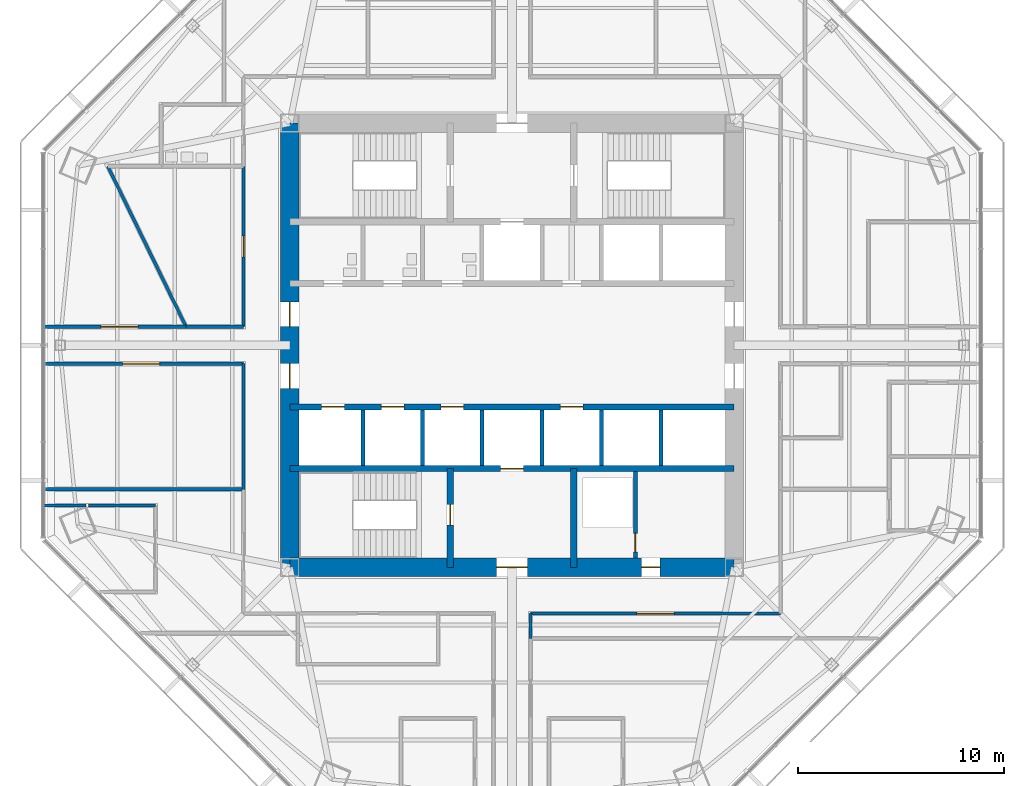
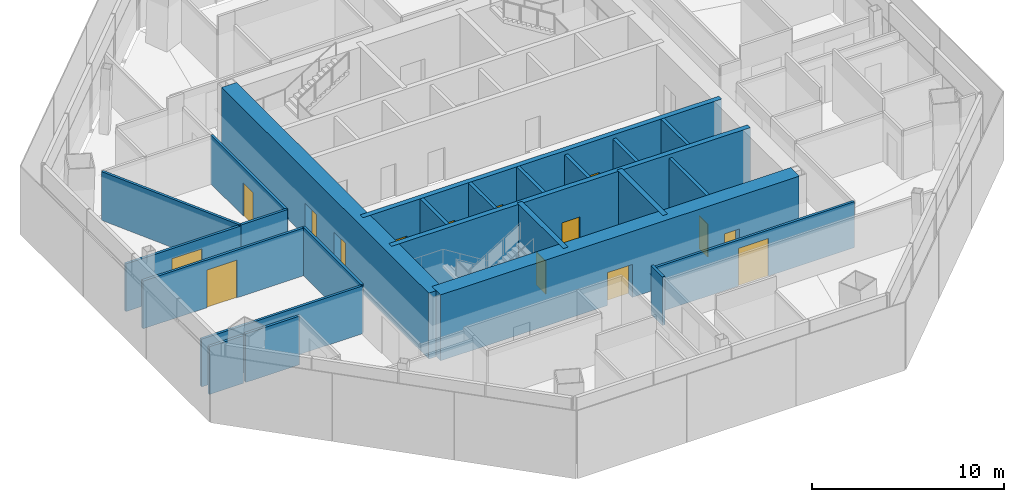
# One storey, part 9 of 15: 24 walls, 15 doors, 15 openings.
"""IFC4 building model written with IfcOpenShell, lengths in metres."""

from ifc_helpers import new_model, si_unit, direction, frame, frame_2d, origin, place, context, subcontext, project, spatial, rectangle, extrude, material, layer, layer_set, type_object, element, fill, save


model = new_model("IFC4")

# Units and contexts
model_context = context("Model", 3, precision=1e-05, world=origin(), true_north=direction((0.0, 1.0)))
body_context = subcontext(model_context, "Body", "Model", "MODEL_VIEW")
ifc_project = project(units=[si_unit("LENGTHUNIT", "METRE"), si_unit("AREAUNIT", "SQUARE_METRE"), si_unit("VOLUMEUNIT", "CUBIC_METRE"), si_unit("PLANEANGLEUNIT", "RADIAN"), si_unit("MASSUNIT", "GRAM", prefix="KILO")], contexts=[model_context])

# Site, building, storey
site_placement = place(None, origin())
site = spatial("IfcSite", under=ifc_project, at=site_placement, CompositionType="ELEMENT")
building_placement = place(site_placement, origin())
building = spatial("IfcBuilding", under=site, at=building_placement, Name="Mashrafa Tower", CompositionType="ELEMENT")
storey_placement = place(building_placement, frame((0.0, 0.0, 184.800048828125)))
storey = spatial("IfcBuildingStorey", under=building, at=storey_placement, Name="L42", CompositionType="ELEMENT", Elevation=184.800048828125)

# Wall, opening, door
ifc_material_1 = material(Name="Concrete masonry unit", Category="masonry")
ifc_layer_1 = layer(ifc_material_1, 0.199951171875)
ifc_layer_set_1 = layer_set([ifc_layer_1], Name="Blockwork wall 200 2 hr")
wall_type_1 = type_object("IfcWallType", Name="Blockwork wall 200 2 hr", PredefinedType="PARTITIONING", material=ifc_layer_set_1)
wall_1_placement = place(storey_placement, frame((6.0, -10.35009765625, 0.0), z_axis=(0.0, 0.0, 1.0), x_axis=(0.0, 1.0, 0.0)))
wall_1 = element("IfcWall", 1, at=wall_1_placement, inside=storey, type_object=wall_type_1, Name="Riser enclosure wall L42", PredefinedType="PARTITIONING", context=body_context, shape_type="SweptSolid", body=[
    extrude(rectangle(XDim=4.2001953125, YDim=0.199951171875, at=frame_2d((2.10009765625, 0.0))), origin(), (0.0, 0.0, 1.0), 3.949951171875),
])
opening_1_placement = place(wall_1_placement, frame((0.300048828125, 0.0, 0.0)))
opening_1 = element("IfcOpeningElement", 2, at=opening_1_placement, cuts=wall_1, Name="Opening 42.034", PredefinedType="OPENING", context=body_context, shape_type="SweptSolid", body=[
    extrude(rectangle(XDim=0.89990234375, YDim=2.10009765625, at=frame_2d((0.449951171875, 1.050048828125))), frame((0.0, 0.10986328125, 0.0), z_axis=(0.0, -1.0, 0.0), x_axis=(1.0, 0.0, 0.0)), (0.0, 0.0, 1.0), 0.219970703125),
])
ifc_material_2 = material(Name="Steel door", Category="steel")
door_type_1 = type_object("IfcDoorType", Name="Service door 900 x 2100 90 min", OperationType="USERDEFINED", PredefinedType="DOOR", material=ifc_material_2)
door_1_placement = place(opening_1_placement, origin())
door_1 = element("IfcDoor", 3, at=door_1_placement, inside=storey, type_object=door_type_1, Name="Riser door L42", OperationType="SINGLE_SWING_LEFT", OverallHeight=2.10009765625, OverallWidth=0.89990234375, PredefinedType="DOOR", context=body_context, shape_type="SweptSolid", body=[
    extrude(rectangle(XDim=0.89990234375, YDim=2.10009765625, at=frame_2d((0.449951171875, 1.050048828125))), frame((0.0, 0.02490234375, 0.0), z_axis=(0.0, -1.0, 0.0), x_axis=(1.0, 0.0, 0.0)), (0.0, 0.0, 1.0), 0.050048828125),
])
fill(opening_1, door_1)

# Wall, openings, doors
ifc_material_3 = material(Name="Concrete C60/75", Category="concrete")
ifc_layer_2 = layer(ifc_material_3, 0.300048828125)
ifc_layer_set_2 = layer_set([ifc_layer_2], Name="Core wall 300 C60/75")
wall_type_2 = type_object("IfcWallType", Name="Core wall 300 C60/75", PredefinedType="SOLIDWALL", material=ifc_layer_set_2)
wall_2_placement = place(storey_placement, frame((-10.800048828125, -3.0, 0.0), z_axis=(0.0, 0.0, 1.0), x_axis=(1.0, 0.0, 0.0)))
wall_2 = element("IfcWall", 4, at=wall_2_placement, inside=storey, type_object=wall_type_2, Name="Core wall CH-S L42", PredefinedType="SOLIDWALL", context=body_context, shape_type="SweptSolid", body=[
    extrude(rectangle(XDim=21.60009765625, YDim=0.300048828125, at=frame_2d((10.800048828125, 0.0))), origin(), (0.0, 0.0, 1.0), 4.199951171875),
])
opening_2_placement = place(wall_2_placement, frame((1.550048828125, 0.0, 0.0)))
opening_2 = element("IfcOpeningElement", 5, at=opening_2_placement, cuts=wall_2, Name="Opening 42.B1", PredefinedType="OPENING", context=body_context, shape_type="SweptSolid", body=[
    extrude(rectangle(XDim=1.10009765625, YDim=2.10009765625, at=frame_2d((0.550048828125, 1.050048828125))), frame((0.0, 0.159912109375, 0.0), z_axis=(0.0, -1.0, 0.0), x_axis=(1.0, 0.0, 0.0)), (0.0, 0.0, 1.0), 0.320068359375),
])
opening_3_placement = place(wall_2_placement, frame((4.449951171875, 0.0, 0.0)))
opening_3 = element("IfcOpeningElement", 6, at=opening_3_placement, cuts=wall_2, Name="Opening 42.B2", PredefinedType="OPENING", context=body_context, shape_type="SweptSolid", body=[
    extrude(rectangle(XDim=1.10009765625, YDim=2.10009765625, at=frame_2d((0.550048828125, 1.050048828125))), frame((0.0, 0.159912109375, 0.0), z_axis=(0.0, -1.0, 0.0), x_axis=(1.0, 0.0, 0.0)), (0.0, 0.0, 1.0), 0.320068359375),
])
opening_4_placement = place(wall_2_placement, frame((7.35009765625, 0.0, 0.0)))
opening_4 = element("IfcOpeningElement", 7, at=opening_4_placement, cuts=wall_2, Name="Opening 42.B3", PredefinedType="OPENING", context=body_context, shape_type="SweptSolid", body=[
    extrude(rectangle(XDim=1.10009765625, YDim=2.10009765625, at=frame_2d((0.550048828125, 1.050048828125))), frame((0.0, 0.159912109375, 0.0), z_axis=(0.0, -1.0, 0.0), x_axis=(1.0, 0.0, 0.0)), (0.0, 0.0, 1.0), 0.320068359375),
])
opening_5_placement = place(wall_2_placement, frame((13.14990234375, 0.0, 0.0)))
opening_5 = element("IfcOpeningElement", 8, at=opening_5_placement, cuts=wall_2, Name="Opening 42.B4", PredefinedType="OPENING", context=body_context, shape_type="SweptSolid", body=[
    extrude(rectangle(XDim=1.10009765625, YDim=2.10009765625, at=frame_2d((0.550048828125, 1.050048828125))), frame((0.0, 0.159912109375, 0.0), z_axis=(0.0, -1.0, 0.0), x_axis=(1.0, 0.0, 0.0)), (0.0, 0.0, 1.0), 0.320068359375),
])
ifc_material_4 = material(Name="Steel door", Category="steel")
door_type_2 = type_object("IfcDoorType", Name="Lift landing door 1100 x 2100 90 min", OperationType="DOUBLE_DOOR_SLIDING", PredefinedType="DOOR", material=ifc_material_4)
door_2_placement = place(opening_2_placement, origin())
door_2 = element("IfcDoor", 9, at=door_2_placement, inside=storey, type_object=door_type_2, Name="Lift landing door B1 L42", OperationType="DOUBLE_DOOR_SLIDING", OverallHeight=2.10009765625, OverallWidth=1.10009765625, PredefinedType="DOOR", context=body_context, shape_type="SweptSolid", body=[
    extrude(rectangle(XDim=1.10009765625, YDim=2.10009765625, at=frame_2d((0.550048828125, 1.050048828125))), frame((0.0, 0.02490234375, 0.0), z_axis=(0.0, -1.0, 0.0), x_axis=(1.0, 0.0, 0.0)), (0.0, 0.0, 1.0), 0.050048828125),
])
fill(opening_2, door_2)
door_3_placement = place(opening_3_placement, origin())
door_3 = element("IfcDoor", 10, at=door_3_placement, inside=storey, type_object=door_type_2, Name="Lift landing door B2 L42", OperationType="DOUBLE_DOOR_SLIDING", OverallHeight=2.10009765625, OverallWidth=1.10009765625, PredefinedType="DOOR", context=body_context, shape_type="SweptSolid", body=[
    extrude(rectangle(XDim=1.10009765625, YDim=2.10009765625, at=frame_2d((0.550048828125, 1.050048828125))), frame((0.0, 0.02490234375, 0.0), z_axis=(0.0, -1.0, 0.0), x_axis=(1.0, 0.0, 0.0)), (0.0, 0.0, 1.0), 0.050048828125),
])
fill(opening_3, door_3)
door_4_placement = place(opening_4_placement, origin())
door_4 = element("IfcDoor", 11, at=door_4_placement, inside=storey, type_object=door_type_2, Name="Lift landing door B3 L42", OperationType="DOUBLE_DOOR_SLIDING", OverallHeight=2.10009765625, OverallWidth=1.10009765625, PredefinedType="DOOR", context=body_context, shape_type="SweptSolid", body=[
    extrude(rectangle(XDim=1.10009765625, YDim=2.10009765625, at=frame_2d((0.550048828125, 1.050048828125))), frame((0.0, 0.02490234375, 0.0), z_axis=(0.0, -1.0, 0.0), x_axis=(1.0, 0.0, 0.0)), (0.0, 0.0, 1.0), 0.050048828125),
])
fill(opening_4, door_4)
door_5_placement = place(opening_5_placement, origin())
door_5 = element("IfcDoor", 12, at=door_5_placement, inside=storey, type_object=door_type_2, Name="Lift landing door B4 L42", OperationType="DOUBLE_DOOR_SLIDING", OverallHeight=2.10009765625, OverallWidth=1.10009765625, PredefinedType="DOOR", context=body_context, shape_type="SweptSolid", body=[
    extrude(rectangle(XDim=1.10009765625, YDim=2.10009765625, at=frame_2d((0.550048828125, 1.050048828125))), frame((0.0, 0.02490234375, 0.0), z_axis=(0.0, -1.0, 0.0), x_axis=(1.0, 0.0, 0.0)), (0.0, 0.0, 1.0), 0.050048828125),
])
fill(opening_5, door_5)

# Wall, opening, door
wall_3_placement = place(storey_placement, frame((-10.800048828125, -6.0, 0.0), z_axis=(0.0, 0.0, 1.0), x_axis=(1.0, 0.0, 0.0)))
wall_3 = element("IfcWall", 13, at=wall_3_placement, inside=storey, type_object=wall_type_2, Name="Core wall CB-S L42", PredefinedType="SOLIDWALL", context=body_context, shape_type="SweptSolid", body=[
    extrude(rectangle(XDim=21.60009765625, YDim=0.300048828125, at=frame_2d((10.800048828125, 0.0))), origin(), (0.0, 0.0, 1.0), 4.199951171875),
])
opening_6_placement = place(wall_3_placement, frame((10.25, 0.0, 0.0)))
opening_6 = element("IfcOpeningElement", 14, at=opening_6_placement, cuts=wall_3, Name="Opening 42.F2", PredefinedType="OPENING", context=body_context, shape_type="SweptSolid", body=[
    extrude(rectangle(XDim=1.10009765625, YDim=2.10009765625, at=frame_2d((0.550048828125, 1.050048828125))), frame((0.0, 0.159912109375, 0.0), z_axis=(0.0, -1.0, 0.0), x_axis=(1.0, 0.0, 0.0)), (0.0, 0.0, 1.0), 0.320068359375),
])
door_6_placement = place(opening_6_placement, origin())
door_6 = element("IfcDoor", 15, at=door_6_placement, inside=storey, type_object=door_type_2, Name="Lift landing door F2 L42", OperationType="DOUBLE_DOOR_SLIDING", OverallHeight=2.10009765625, OverallWidth=1.10009765625, PredefinedType="DOOR", context=body_context, shape_type="SweptSolid", body=[
    extrude(rectangle(XDim=1.10009765625, YDim=2.10009765625, at=frame_2d((0.550048828125, 1.050048828125))), frame((0.0, 0.02490234375, 0.0), z_axis=(0.0, -1.0, 0.0), x_axis=(1.0, 0.0, 0.0)), (0.0, 0.0, 1.0), 0.050048828125),
])
fill(opening_6, door_6)

wall_4_placement = place(storey_placement, frame((-3.0, -6.0, 0.0), z_axis=(0.0, 0.0, 1.0), x_axis=(0.0, -1.0, 0.0)))
wall_4 = element("IfcWall", 16, at=wall_4_placement, inside=storey, type_object=wall_type_2, Name="Core wall CX-SW L42", PredefinedType="SOLIDWALL", context=body_context, shape_type="SweptSolid", body=[
    extrude(rectangle(XDim=4.800048828125, YDim=0.300048828125, at=frame_2d((2.39990234375, 0.0))), origin(), (0.0, 0.0, 1.0), 4.199951171875),
])
opening_7_placement = place(wall_4_placement, frame((1.75, 0.0, 0.0)))
opening_7 = element("IfcOpeningElement", 17, at=opening_7_placement, cuts=wall_4, Name="Opening 42.032", PredefinedType="OPENING", context=body_context, shape_type="SweptSolid", body=[
    extrude(rectangle(XDim=1.0, YDim=2.10009765625, at=frame_2d((0.5, 1.050048828125))), frame((0.0, 0.159912109375, 0.0), z_axis=(0.0, -1.0, 0.0), x_axis=(1.0, 0.0, 0.0)), (0.0, 0.0, 1.0), 0.320068359375),
])
ifc_material_5 = material(Name="Steel door", Category="steel")
door_type_3 = type_object("IfcDoorType", Name="Stair door 1000 x 2100 90 min", OperationType="USERDEFINED", PredefinedType="DOOR", material=ifc_material_5)
door_7_placement = place(opening_7_placement, frame((1.0, 0.0, 0.0), z_axis=(0.0, 0.0, 1.0), x_axis=(-1.0, 0.0, 0.0)))
door_7 = element("IfcDoor", 18, at=door_7_placement, inside=storey, type_object=door_type_3, Name="Stair S3 door L42", OperationType="SINGLE_SWING_RIGHT", OverallHeight=2.10009765625, OverallWidth=1.0, PredefinedType="DOOR", context=body_context, shape_type="SweptSolid", body=[
    extrude(rectangle(XDim=1.0, YDim=2.10009765625, at=frame_2d((0.5, 1.050048828125))), frame((0.0, 0.02490234375, 0.0), z_axis=(0.0, -1.0, 0.0), x_axis=(1.0, 0.0, 0.0)), (0.0, 0.0, 1.0), 0.050048828125),
])
fill(opening_7, door_7)

# Wall
wall_5_placement = place(storey_placement, frame((3.0, -6.0, 0.0), z_axis=(0.0, 0.0, 1.0), x_axis=(0.0, -1.0, 0.0)))
element("IfcWall", 19, at=wall_5_placement, inside=storey, type_object=wall_type_2, Name="Core wall CX-SE L42", PredefinedType="SOLIDWALL", context=body_context, shape_type="SweptSolid", body=[
    extrude(rectangle(XDim=4.800048828125, YDim=0.300048828125, at=frame_2d((2.39990234375, 0.0))), origin(), (0.0, 0.0, 1.0), 4.199951171875),
])

# Wall, openings, doors
ifc_material_6 = material(Name="Concrete C60/75", Category="concrete")
ifc_layer_3 = layer(ifc_material_6, 0.89990234375)
ifc_layer_set_3 = layer_set([ifc_layer_3], Name="Core wall 900 C60/75")
wall_type_3 = type_object("IfcWallType", Name="Core wall 900 C60/75", PredefinedType="SOLIDWALL", material=ifc_layer_set_3)
wall_6_placement = place(storey_placement, frame((-10.800048828125, -10.800048828125, 0.0), z_axis=(0.0, 0.0, 1.0), x_axis=(1.0, 0.0, 0.0)))
wall_6 = element("IfcWall", 20, at=wall_6_placement, inside=storey, type_object=wall_type_3, Name="Core wall CW-S L42", PredefinedType="SOLIDWALL", context=body_context, shape_type="SweptSolid", body=[
    extrude(rectangle(XDim=21.60009765625, YDim=0.89990234375, at=frame_2d((10.800048828125, 0.0))), origin(), (0.0, 0.0, 1.0), 4.199951171875),
])
opening_8_placement = place(wall_6_placement, frame((10.050048828125, 0.0, 0.0)))
opening_8 = element("IfcOpeningElement", 21, at=opening_8_placement, cuts=wall_6, Name="Opening 42.029", PredefinedType="OPENING", context=body_context, shape_type="SweptSolid", body=[
    extrude(rectangle(XDim=1.5, YDim=2.10009765625, at=frame_2d((0.75, 1.050048828125))), frame((0.0, 0.4599609375, 0.0), z_axis=(0.0, -1.0, 0.0), x_axis=(1.0, 0.0, 0.0)), (0.0, 0.0, 1.0), 0.919921875),
])
opening_9_placement = place(wall_6_placement, frame((17.10009765625, 0.0, 0.0)))
opening_9 = element("IfcOpeningElement", 22, at=opening_9_placement, cuts=wall_6, Name="Opening 42.033", PredefinedType="OPENING", context=body_context, shape_type="SweptSolid", body=[
    extrude(rectangle(XDim=0.89990234375, YDim=2.10009765625, at=frame_2d((0.449951171875, 1.050048828125))), frame((0.0, 0.4599609375, 0.0), z_axis=(0.0, -1.0, 0.0), x_axis=(1.0, 0.0, 0.0)), (0.0, 0.0, 1.0), 0.919921875),
])
ifc_material_7 = material(Name="Steel door", Category="steel")
door_type_4 = type_object("IfcDoorType", Name="Lobby door pair 1500 x 2100 90 min", OperationType="DOUBLE_DOOR_SINGLE_SWING", PredefinedType="DOOR", material=ifc_material_7)
door_8_placement = place(opening_8_placement, origin())
door_8 = element("IfcDoor", 23, at=door_8_placement, inside=storey, type_object=door_type_4, Name="Fire-fighting lobby F2 door L42", OperationType="DOUBLE_DOOR_SINGLE_SWING", OverallHeight=2.10009765625, OverallWidth=1.5, PredefinedType="DOOR", context=body_context, shape_type="SweptSolid", body=[
    extrude(rectangle(XDim=1.5, YDim=2.10009765625, at=frame_2d((0.75, 1.050048828125))), frame((0.0, 0.02490234375, 0.0), z_axis=(0.0, -1.0, 0.0), x_axis=(1.0, 0.0, 0.0)), (0.0, 0.0, 1.0), 0.050048828125),
])
fill(opening_8, door_8)
door_9_placement = place(opening_9_placement, origin())
door_9 = element("IfcDoor", 24, at=door_9_placement, inside=storey, type_object=door_type_1, Name="Communications Room L42 door", OperationType="SINGLE_SWING_LEFT", OverallHeight=2.10009765625, OverallWidth=0.89990234375, PredefinedType="DOOR", context=body_context, shape_type="SweptSolid", body=[
    extrude(rectangle(XDim=0.89990234375, YDim=2.10009765625, at=frame_2d((0.449951171875, 1.050048828125))), frame((0.0, 0.02490234375, 0.0), z_axis=(0.0, -1.0, 0.0), x_axis=(1.0, 0.0, 0.0)), (0.0, 0.0, 1.0), 0.050048828125),
])
fill(opening_9, door_9)

wall_7_placement = place(storey_placement, frame((-10.800048828125, 10.800048828125, 0.0), z_axis=(0.0, 0.0, 1.0), x_axis=(0.0, -1.0, 0.0)))
wall_7 = element("IfcWall", 25, at=wall_7_placement, inside=storey, type_object=wall_type_3, Name="Core wall CW-W L42", PredefinedType="SOLIDWALL", context=body_context, shape_type="SweptSolid", body=[
    extrude(rectangle(XDim=21.60009765625, YDim=0.89990234375, at=frame_2d((10.800048828125, 0.0))), origin(), (0.0, 0.0, 1.0), 4.199951171875),
])
opening_10_placement = place(wall_7_placement, frame((8.699951171875, 0.0, 0.0)))
opening_10 = element("IfcOpeningElement", 26, at=opening_10_placement, cuts=wall_7, Name="Opening 42.025", PredefinedType="OPENING", context=body_context, shape_type="SweptSolid", body=[
    extrude(rectangle(XDim=1.199951171875, YDim=2.10009765625, at=frame_2d((0.60009765625, 1.050048828125))), frame((0.0, 0.4599609375, 0.0), z_axis=(0.0, -1.0, 0.0), x_axis=(1.0, 0.0, 0.0)), (0.0, 0.0, 1.0), 0.919921875),
])
opening_11_placement = place(wall_7_placement, frame((11.699951171875, 0.0, 0.0)))
opening_11 = element("IfcOpeningElement", 27, at=opening_11_placement, cuts=wall_7, Name="Opening 42.027", PredefinedType="OPENING", context=body_context, shape_type="SweptSolid", body=[
    extrude(rectangle(XDim=1.199951171875, YDim=2.10009765625, at=frame_2d((0.60009765625, 1.050048828125))), frame((0.0, 0.4599609375, 0.0), z_axis=(0.0, -1.0, 0.0), x_axis=(1.0, 0.0, 0.0)), (0.0, 0.0, 1.0), 0.919921875),
])
ifc_material_8 = material(Name="Steel door", Category="steel")
door_type_5 = type_object("IfcDoorType", Name="Lift hall door 1200 x 2100 90 min", OperationType="USERDEFINED", PredefinedType="DOOR", material=ifc_material_8)
door_10_placement = place(opening_10_placement, frame((1.199951171875, 0.0, 0.0), z_axis=(0.0, 0.0, 1.0), x_axis=(-1.0, 0.0, 0.0)))
door_10 = element("IfcDoor", 28, at=door_10_placement, inside=storey, type_object=door_type_5, Name="Lift hall door west L42", OperationType="SINGLE_SWING_RIGHT", OverallHeight=2.10009765625, OverallWidth=1.199951171875, PredefinedType="DOOR", context=body_context, shape_type="SweptSolid", body=[
    extrude(rectangle(XDim=1.199951171875, YDim=2.10009765625, at=frame_2d((0.60009765625, 1.050048828125))), frame((0.0, 0.02490234375, 0.0), z_axis=(0.0, -1.0, 0.0), x_axis=(1.0, 0.0, 0.0)), (0.0, 0.0, 1.0), 0.050048828125),
])
fill(opening_10, door_10)
door_11_placement = place(opening_11_placement, frame((1.199951171875, 0.0, 0.0), z_axis=(0.0, 0.0, 1.0), x_axis=(-1.0, 0.0, 0.0)))
door_11 = element("IfcDoor", 29, at=door_11_placement, inside=storey, type_object=door_type_5, Name="Lift hall door west L42", OperationType="SINGLE_SWING_LEFT", OverallHeight=2.10009765625, OverallWidth=1.199951171875, PredefinedType="DOOR", context=body_context, shape_type="SweptSolid", body=[
    extrude(rectangle(XDim=1.199951171875, YDim=2.10009765625, at=frame_2d((0.60009765625, 1.050048828125))), frame((0.0, 0.02490234375, 0.0), z_axis=(0.0, -1.0, 0.0), x_axis=(1.0, 0.0, 0.0)), (0.0, 0.0, 1.0), 0.050048828125),
])
fill(opening_11, door_11)

# Wall, opening, door
ifc_material_9 = material(Name="Gypsum board on steel studs", Category="steel")
ifc_layer_4 = layer(ifc_material_9, 0.14990234375)
ifc_layer_set_4 = layer_set([ifc_layer_4], Name="Corridor partition 150 1 hr")
wall_type_4 = type_object("IfcWallType", Name="Corridor partition 150 1 hr", PredefinedType="PARTITIONING", material=ifc_layer_set_4)
wall_8_placement = place(storey_placement, frame((-13.050048828125, 8.700927734375, 0.0), z_axis=(0.0, 0.0, 1.0), x_axis=(0.0, -1.0, 0.0)))
wall_8 = element("IfcWall", 30, at=wall_8_placement, inside=storey, type_object=wall_type_4, Name="Corridor wall L42-001", PredefinedType="PARTITIONING", context=body_context, shape_type="SweptSolid", body=[
    extrude(rectangle(XDim=7.801025390625, YDim=0.14990234375, at=frame_2d((3.900390625, 0.0))), origin(), (0.0, 0.0, 1.0), 3.09423828125),
])
opening_12_placement = place(wall_8_placement, frame((3.400390625, 0.0, 0.0)))
opening_12 = element("IfcOpeningElement", 31, at=opening_12_placement, cuts=wall_8, Name="Opening 42.001", PredefinedType="OPENING", context=body_context, shape_type="SweptSolid", body=[
    extrude(rectangle(XDim=1.0, YDim=2.10009765625, at=frame_2d((0.5, 1.050048828125))), frame((0.0, 0.0849609375, 0.0), z_axis=(0.0, -1.0, 0.0), x_axis=(1.0, 0.0, 0.0)), (0.0, 0.0, 1.0), 0.169921875),
])
ifc_material_10 = material(Name="Timber door", Category="wood")
door_type_6 = type_object("IfcDoorType", Name="Door 1000 x 2100", OperationType="USERDEFINED", PredefinedType="DOOR", material=ifc_material_10)
door_12_placement = place(opening_12_placement, frame((1.0, 0.0, 0.0), z_axis=(0.0, 0.0, 1.0), x_axis=(-1.0, 0.0, 0.0)))
door_12 = element("IfcDoor", 32, at=door_12_placement, inside=storey, type_object=door_type_6, Name="Musallah Prayer Room 42 door", OperationType="SINGLE_SWING_LEFT", OverallHeight=2.10009765625, OverallWidth=1.0, PredefinedType="DOOR", context=body_context, shape_type="SweptSolid", body=[
    extrude(rectangle(XDim=1.0, YDim=2.10009765625, at=frame_2d((0.5, 1.050048828125))), frame((0.0, 0.02490234375, 0.0), z_axis=(0.0, -1.0, 0.0), x_axis=(1.0, 0.0, 0.0)), (0.0, 0.0, 1.0), 0.050048828125),
])
fill(opening_12, door_12)

# Wall
wall_9_placement = place(storey_placement, frame((-13.050048828125, 0.89990234375, 0.0), z_axis=(0.0, 0.0, 1.0), x_axis=(-1.0, 0.0, 0.0)))
element("IfcWall", 33, at=wall_9_placement, inside=storey, type_object=wall_type_4, Name="Corridor wall L42-002", PredefinedType="PARTITIONING", context=body_context, shape_type="SweptSolid", body=[
    extrude(rectangle(XDim=2.796630859375, YDim=0.14990234375, at=frame_2d((1.3984375, 0.0))), origin(), (0.0, 0.0, 1.0), 3.09423828125),
])

# Wall, opening, door
wall_10_placement = place(storey_placement, frame((-15.844482421875, 0.89990234375, 0.0), z_axis=(0.0, 0.0, 1.0), x_axis=(-1.0, 0.0, 0.0)))
wall_10 = element("IfcWall", 34, at=wall_10_placement, inside=storey, type_object=wall_type_4, Name="Corridor wall L42-015", PredefinedType="PARTITIONING", context=body_context, shape_type="SweptSolid", body=[
    extrude(rectangle(XDim=6.926513671875, YDim=0.14990234375, at=frame_2d((3.46337890625, 0.0))), origin(), (0.0, 0.0, 1.0), 3.0400390625),
])
opening_13_placement = place(wall_10_placement, frame((2.34619140625, 0.0, 0.0)))
opening_13 = element("IfcOpeningElement", 35, at=opening_13_placement, cuts=wall_10, Name="Opening 42.015", PredefinedType="OPENING", context=body_context, shape_type="SweptSolid", body=[
    extrude(rectangle(XDim=1.800048828125, YDim=2.39990234375, at=frame_2d((0.89990234375, 1.199951171875))), frame((0.0, 0.0849609375, 0.0), z_axis=(0.0, -1.0, 0.0), x_axis=(1.0, 0.0, 0.0)), (0.0, 0.0, 1.0), 0.169921875),
])
ifc_material_11 = material(Name="Timber door", Category="wood")
door_type_7 = type_object("IfcDoorType", Name="Door pair 1800 x 2400", OperationType="DOUBLE_DOOR_SINGLE_SWING", PredefinedType="DOOR", material=ifc_material_11)
door_13_placement = place(opening_13_placement, frame((1.800048828125, 0.0, 0.0), z_axis=(0.0, 0.0, 1.0), x_axis=(-1.0, 0.0, 0.0)))
door_13 = element("IfcDoor", 36, at=door_13_placement, inside=storey, type_object=door_type_7, Name="Board Secretariat Office 42-NW3 door", OperationType="DOUBLE_DOOR_SINGLE_SWING", OverallHeight=2.39990234375, OverallWidth=1.800048828125, PredefinedType="DOOR", context=body_context, shape_type="SweptSolid", body=[
    extrude(rectangle(XDim=1.800048828125, YDim=2.39990234375, at=frame_2d((0.89990234375, 1.199951171875))), frame((0.0, 0.02490234375, 0.0), z_axis=(0.0, -1.0, 0.0), x_axis=(1.0, 0.0, 0.0)), (0.0, 0.0, 1.0), 0.050048828125),
])
fill(opening_13, door_13)

wall_11_placement = place(storey_placement, frame((-22.77099609375, -0.89990234375, 0.0), z_axis=(0.0, 0.0, 1.0), x_axis=(1.0, 0.0, 0.0)))
wall_11 = element("IfcWall", 37, at=wall_11_placement, inside=storey, type_object=wall_type_4, Name="Corridor wall L42-024", PredefinedType="PARTITIONING", context=body_context, shape_type="SweptSolid", body=[
    extrude(rectangle(XDim=9.720947265625, YDim=0.14990234375, at=frame_2d((4.8603515625, 0.0))), origin(), (0.0, 0.0, 1.0), 3.0400390625),
])
opening_14_placement = place(wall_11_placement, frame((3.842529296875, 0.0, 0.0)))
opening_14 = element("IfcOpeningElement", 38, at=opening_14_placement, cuts=wall_11, Name="Opening 42.020", PredefinedType="OPENING", context=body_context, shape_type="SweptSolid", body=[
    extrude(rectangle(XDim=1.800048828125, YDim=2.39990234375, at=frame_2d((0.89990234375, 1.199951171875))), frame((0.0, 0.0849609375, 0.0), z_axis=(0.0, -1.0, 0.0), x_axis=(1.0, 0.0, 0.0)), (0.0, 0.0, 1.0), 0.169921875),
])
door_14_placement = place(opening_14_placement, frame((1.800048828125, 0.0, 0.0), z_axis=(0.0, 0.0, 1.0), x_axis=(-1.0, 0.0, 0.0)))
door_14 = element("IfcDoor", 39, at=door_14_placement, inside=storey, type_object=door_type_7, Name="General Counsel's Office 42-SW1 door", OperationType="DOUBLE_DOOR_SINGLE_SWING", OverallHeight=2.39990234375, OverallWidth=1.800048828125, PredefinedType="DOOR", context=body_context, shape_type="SweptSolid", body=[
    extrude(rectangle(XDim=1.800048828125, YDim=2.39990234375, at=frame_2d((0.89990234375, 1.199951171875))), frame((0.0, 0.02490234375, 0.0), z_axis=(0.0, -1.0, 0.0), x_axis=(1.0, 0.0, 0.0)), (0.0, 0.0, 1.0), 0.050048828125),
])
fill(opening_14, door_14)

# Walls
wall_12_placement = place(storey_placement, frame((-13.050048828125, -0.89990234375, 0.0), z_axis=(0.0, 0.0, 1.0), x_axis=(0.0, -1.0, 0.0)))
element("IfcWall", 40, at=wall_12_placement, inside=storey, type_object=wall_type_4, Name="Corridor wall L42-025", PredefinedType="PARTITIONING", context=body_context, shape_type="SweptSolid", body=[
    extrude(rectangle(XDim=6.10107421875, YDim=0.14990234375, at=frame_2d((3.050537109375, 0.0))), origin(), (0.0, 0.0, 1.0), 3.09423828125),
])
wall_13_placement = place(storey_placement, frame((0.89990234375, -14.2509765625, 0.0), z_axis=(0.0, 0.0, 1.0), x_axis=(0.0, 1.0, 0.0)))
element("IfcWall", 41, at=wall_13_placement, inside=storey, type_object=wall_type_4, Name="Corridor wall L42-027", PredefinedType="PARTITIONING", context=body_context, shape_type="SweptSolid", body=[
    extrude(rectangle(XDim=1.200927734375, YDim=0.14990234375, at=frame_2d((0.6005859375, 0.0))), origin(), (0.0, 0.0, 1.0), 3.09423828125),
])

# Wall, opening, door
wall_14_placement = place(storey_placement, frame((0.89990234375, -13.050048828125, 0.0), z_axis=(0.0, 0.0, 1.0), x_axis=(1.0, 0.0, 0.0)))
wall_14 = element("IfcWall", 42, at=wall_14_placement, inside=storey, type_object=wall_type_4, Name="Corridor wall L42-028", PredefinedType="PARTITIONING", context=body_context, shape_type="SweptSolid", body=[
    extrude(rectangle(XDim=12.150146484375, YDim=0.14990234375, at=frame_2d((6.0751953125, 0.0))), origin(), (0.0, 0.0, 1.0), 2.928955078125),
])
opening_15_placement = place(wall_14_placement, frame((5.175048828125, 0.0, 0.0)))
opening_15 = element("IfcOpeningElement", 43, at=opening_15_placement, cuts=wall_14, Name="Opening 42.022", PredefinedType="OPENING", context=body_context, shape_type="SweptSolid", body=[
    extrude(rectangle(XDim=1.800048828125, YDim=2.39990234375, at=frame_2d((0.89990234375, 1.199951171875))), frame((0.0, 0.0849609375, 0.0), z_axis=(0.0, -1.0, 0.0), x_axis=(1.0, 0.0, 0.0)), (0.0, 0.0, 1.0), 0.169921875),
])
door_15_placement = place(opening_15_placement, frame((1.800048828125, 0.0, 0.0), z_axis=(0.0, 0.0, 1.0), x_axis=(-1.0, 0.0, 0.0)))
door_15 = element("IfcDoor", 44, at=door_15_placement, inside=storey, type_object=door_type_7, Name="Corporate Affairs Office 42-SE2 door", OperationType="DOUBLE_DOOR_SINGLE_SWING", OverallHeight=2.39990234375, OverallWidth=1.800048828125, PredefinedType="DOOR", context=body_context, shape_type="SweptSolid", body=[
    extrude(rectangle(XDim=1.800048828125, YDim=2.39990234375, at=frame_2d((0.89990234375, 1.199951171875))), frame((0.0, 0.02490234375, 0.0), z_axis=(0.0, -1.0, 0.0), x_axis=(1.0, 0.0, 0.0)), (0.0, 0.0, 1.0), 0.050048828125),
])
fill(opening_15, door_15)

# Walls
ifc_material_12 = material(Name="Gypsum board on steel studs", Category="steel")
ifc_layer_5 = layer(ifc_material_12, 0.14990234375)
ifc_layer_set_5 = layer_set([ifc_layer_5], Name="Partition 150")
wall_type_5 = type_object("IfcWallType", Name="Partition 150", PredefinedType="PARTITIONING", material=ifc_layer_set_5)
wall_15_placement = place(storey_placement, frame((-19.64990234375, 8.699951171875, 0.0), z_axis=(0.0, 0.0, 1.0), x_axis=(0.438358227548, -0.898800347319, 0.0)))
element("IfcWall", 45, at=wall_15_placement, inside=storey, type_object=wall_type_5, Name="Partition wall L42-034", PredefinedType="PARTITIONING", context=body_context, shape_type="SweptSolid", body=[
    extrude(rectangle(XDim=8.67822265625, YDim=0.14990234375, at=frame_2d((4.339111328125, 0.0))), origin(), (0.0, 0.0, 1.0), 3.099365234375),
])
wall_16_placement = place(storey_placement, frame((-17.3369140625, -7.800048828125, 0.0), z_axis=(0.0, 0.0, 1.0), x_axis=(-1.0, 0.0, 0.0)))
element("IfcWall", 46, at=wall_16_placement, inside=storey, type_object=wall_type_5, Name="Partition wall L42-046", PredefinedType="PARTITIONING", context=body_context, shape_type="SweptSolid", body=[
    extrude(rectangle(XDim=3.244873046875, YDim=0.14990234375, at=frame_2d((1.62255859375, 0.0))), origin(), (0.0, 0.0, 1.0), 3.099365234375),
])
wall_17_placement = place(storey_placement, frame((-20.709716796875, -7.800048828125, 0.0), z_axis=(0.0, 0.0, 1.0), x_axis=(-1.0, 0.0, 0.0)))
element("IfcWall", 47, at=wall_17_placement, inside=storey, type_object=wall_type_5, Name="Partition wall L42-047", PredefinedType="PARTITIONING", context=body_context, shape_type="SweptSolid", body=[
    extrude(rectangle(XDim=2.059326171875, YDim=0.14990234375, at=frame_2d((1.02978515625, 0.0))), origin(), (0.0, 0.0, 1.0), 3.0400390625),
])
wall_18_placement = place(storey_placement, frame((-13.050048828125, -7.0, 0.0), z_axis=(0.0, 0.0, 1.0), x_axis=(-1.0, 0.0, 0.0)))
element("IfcWall", 48, at=wall_18_placement, inside=storey, type_object=wall_type_5, Name="Partition wall L42-072", PredefinedType="PARTITIONING", context=body_context, shape_type="SweptSolid", body=[
    extrude(rectangle(XDim=9.718994140625, YDim=0.14990234375, at=frame_2d((4.859375, 0.0))), origin(), (0.0, 0.0, 1.0), 3.0400390625),
])
ifc_material_13 = material(Name="Gypsum shaft wall on steel studs", Category="steel")
ifc_layer_6 = layer(ifc_material_13, 0.199951171875)
ifc_layer_set_6 = layer_set([ifc_layer_6], Name="Shaft divider wall 200 2 hr")
wall_type_6 = type_object("IfcWallType", Name="Shaft divider wall 200 2 hr", PredefinedType="PARTITIONING", material=ifc_layer_set_6)
for number, where, z_axis, x_axis, name in (
    (49, (-7.25, -5.85009765625, 0.0), (0.0, 0.0, 1.0), (0.0, 1.0, 0.0), "Shaft divider wall S1 L42"),
    (50, (-4.35009765625, -5.85009765625, 0.0), (0.0, 0.0, 1.0), (0.0, 1.0, 0.0), "Shaft divider wall S2 L42"),
    (51, (-1.449951171875, -5.85009765625, 0.0), (0.0, 0.0, 1.0), (0.0, 1.0, 0.0), "Shaft divider wall S3 L42"),
):
    element("IfcWall", number, at=place(storey_placement, frame(where, z_axis=z_axis, x_axis=x_axis)), inside=storey, type_object=wall_type_6, Name=name, PredefinedType="PARTITIONING", context=body_context, shape_type="SweptSolid", body=[
        extrude(rectangle(XDim=2.7001953125, YDim=0.199951171875, at=frame_2d((1.35009765625, 0.0))), origin(), (0.0, 0.0, 1.0), 4.199951171875),
    ])
for number, where, z_axis, x_axis, name in (
    (52, (1.449951171875, -5.85009765625, 0.0), (0.0, 0.0, 1.0), (0.0, 1.0, 0.0), "Shaft divider wall S4 L42"),
    (53, (4.35009765625, -5.85009765625, 0.0), (0.0, 0.0, 1.0), (0.0, 1.0, 0.0), "Shaft divider wall S5 L42"),
):
    element("IfcWall", number, at=place(storey_placement, frame(where, z_axis=z_axis, x_axis=x_axis)), inside=storey, type_object=wall_type_6, Name=name, PredefinedType="PARTITIONING", context=body_context, shape_type="SweptSolid", body=[
        extrude(rectangle(XDim=2.7001953125, YDim=0.199951171875, at=frame_2d((1.35009765625, 0.0))), origin(), (0.0, 0.0, 1.0), 3.949951171875),
    ])
wall_19_placement = place(storey_placement, frame((7.25, -5.85009765625, 0.0), z_axis=(0.0, 0.0, 1.0), x_axis=(0.0, 1.0, 0.0)))
element("IfcWall", 54, at=wall_19_placement, inside=storey, type_object=wall_type_6, Name="Shaft divider wall S6 L42", PredefinedType="PARTITIONING", context=body_context, shape_type="SweptSolid", body=[
    extrude(rectangle(XDim=2.7001953125, YDim=0.199951171875, at=frame_2d((1.35009765625, 0.0))), origin(), (0.0, 0.0, 1.0), 4.199951171875),
])

save(model, "model.ifc")
